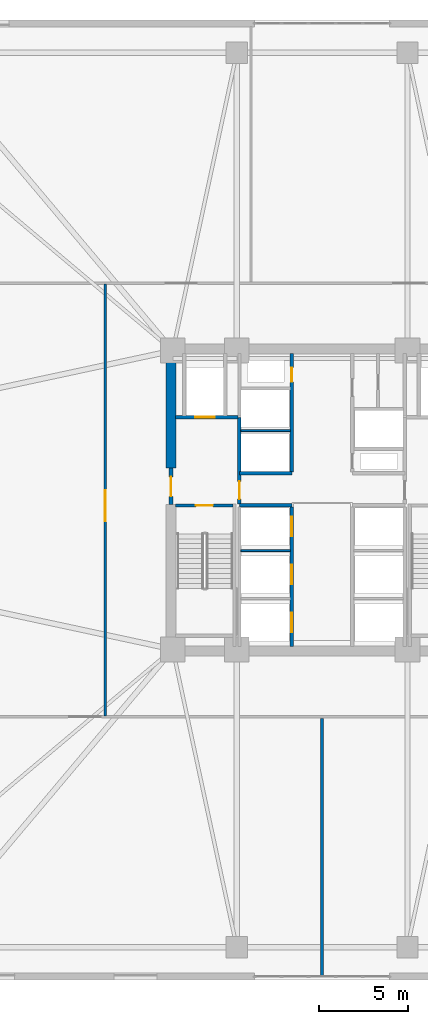
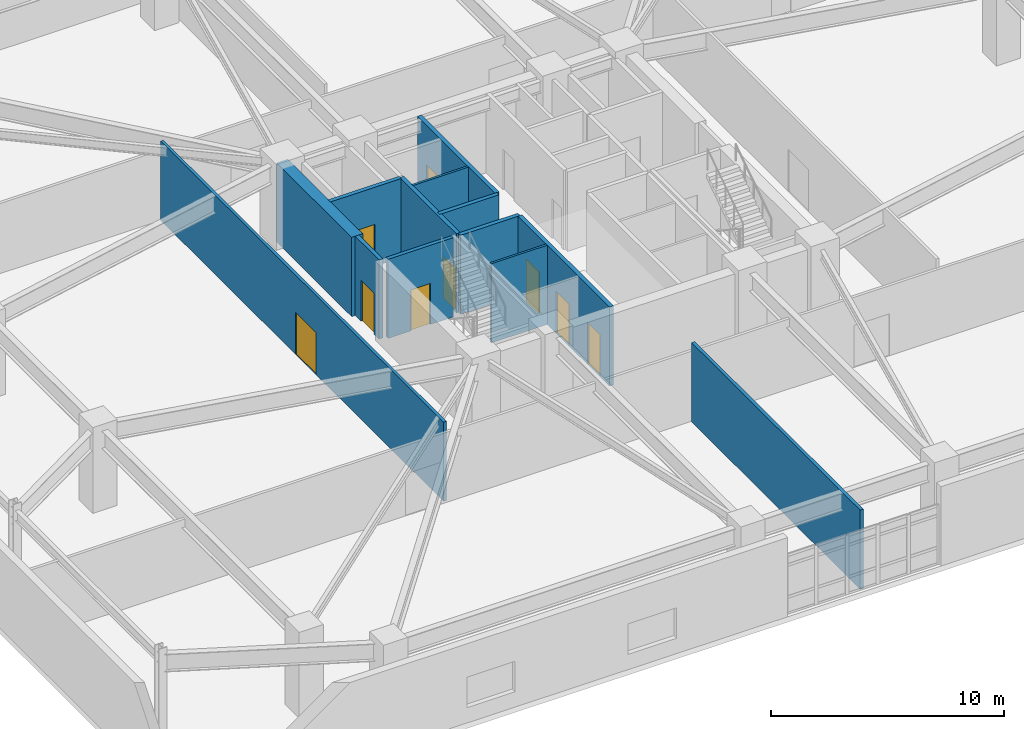
# One storey, part 11 of 21: 13 walls, 9 doors, 9 openings.
"""IFC4 building model written with IfcOpenShell, lengths in metres."""

from ifc_helpers import new_model, si_unit, direction, frame, frame_2d, origin, place, context, subcontext, project, spatial, rectangle, extrude, material, layer, layer_set, type_object, element, fill, save


model = new_model("IFC4")

# Units and contexts
model_context = context("Model", 3, precision=1e-05, world=origin(), true_north=direction((0.0, 1.0)))
body_context = subcontext(model_context, "Body", "Model", "MODEL_VIEW")
ifc_project = project(units=[si_unit("LENGTHUNIT", "METRE"), si_unit("AREAUNIT", "SQUARE_METRE"), si_unit("VOLUMEUNIT", "CUBIC_METRE"), si_unit("PLANEANGLEUNIT", "RADIAN"), si_unit("MASSUNIT", "GRAM", prefix="KILO")], contexts=[model_context])

# Site, building, storey
site_placement = place(None, origin())
site = spatial("IfcSite", under=ifc_project, at=site_placement, CompositionType="ELEMENT")
building_placement = place(site_placement, origin())
building = spatial("IfcBuilding", under=site, at=building_placement, Name="Cairnveth Concourse Tower", CompositionType="ELEMENT")
storey_placement = place(building_placement, frame((0.0, 0.0, 14.5)))
storey = spatial("IfcBuildingStorey", under=building, at=storey_placement, Name="L03", CompositionType="ELEMENT", Elevation=14.5)

# Walls
ifc_material_1 = material(Name="Gypsum Plasterboard Partition", Category="gypsum")
ifc_layer_1 = layer(ifc_material_1, 0.159912109375)
ifc_layer_set_1 = layer_set([ifc_layer_1], Name="Gypsum Plasterboard Partition")
wall_type_1 = type_object("IfcWallType", Name="ACOUSTIC PARTY WALL 180", PredefinedType="PARTITIONING", material=ifc_layer_set_1)
wall_1_placement = place(storey_placement, frame((52.0, 12.219970703125, 0.0), z_axis=(0.0, 0.0, 1.0), x_axis=(0.0, 1.0, 0.0)))
element("IfcWall", 1, at=wall_1_placement, inside=storey, type_object=wall_type_1, Name="Interior Wall IW-L03-042", PredefinedType="PARTITIONING", context=body_context, shape_type="SweptSolid", body=[
    extrude(rectangle(XDim=14.47998046875, YDim=0.159912109375, at=frame_2d((7.239990234375, 0.0))), origin(), (0.0, 0.0, 1.0), 4.14990234375),
])
ifc_material_2 = material(Name="Concrete N80 (80 MPa)", Category="concrete")
ifc_layer_2 = layer(ifc_material_2, 0.550048828125)
ifc_layer_set_2 = layer_set([ifc_layer_2], Name="Concrete N80 (80 MPa)")
wall_type_2 = type_object("IfcWallType", Name="CORE SHEAR WALL 550", PredefinedType="SHEAR", material=ifc_layer_set_2)
wall_2_placement = place(storey_placement, frame((43.5, 40.800048828125, 0.0), z_axis=(0.0, 0.0, 1.0), x_axis=(0.0, 1.0, 0.0)))
element("IfcWall", 2, at=wall_2_placement, inside=storey, type_object=wall_type_2, Name="Core West Shear Wall N L03", PredefinedType="SHEAR", context=body_context, shape_type="SweptSolid", body=[
    extrude(rectangle(XDim=6.43505859375, YDim=0.550048828125, at=frame_2d((3.217529296875, 0.0))), origin(), (0.0, 0.0, 1.0), 4.14990234375),
])

# Wall, opening, door
ifc_material_3 = material(Name="Concrete N50 (50 MPa)", Category="concrete")
ifc_layer_3 = layer(ifc_material_3, 0.179931640625)
ifc_layer_set_3 = layer_set([ifc_layer_3], Name="Concrete N50 (50 MPa)")
wall_type_3 = type_object("IfcWallType", Name="FIRE SHAFT WALL 180", PredefinedType="SOLIDWALL", material=ifc_layer_set_3)
wall_3_placement = place(storey_placement, frame((43.764892578125, 38.68994140625, 0.0), z_axis=(0.0, 0.0, 1.0), x_axis=(1.0, 0.0, 0.0)))
wall_3 = element("IfcWall", 3, at=wall_3_placement, inside=storey, type_object=wall_type_3, Name="Stair ST-1 Shaft Wall NEAR L03", PredefinedType="SOLIDWALL", context=body_context, shape_type="SweptSolid", body=[
    extrude(rectangle(XDim=3.230224609375, YDim=0.179931640625, at=frame_2d((1.615234375, 0.0))), origin(), (0.0, 0.0, 1.0), 4.14990234375),
])
opening_1_placement = place(wall_3_placement, frame((1.139892578125, 0.0, 0.0)))
opening_1 = element("IfcOpeningElement", 4, at=opening_1_placement, cuts=wall_3, Name="Opening ID12", PredefinedType="OPENING", context=body_context, shape_type="SweptSolid", body=[
    extrude(rectangle(XDim=0.949951171875, YDim=2.14990234375, at=frame_2d((0.47509765625, 1.074951171875))), frame((0.0, 0.099853515625, 0.0), z_axis=(0.0, -1.0, 0.0), x_axis=(1.0, 0.0, 0.0)), (0.0, 0.0, 1.0), 0.199951171875),
])
ifc_material_4 = material(Name="Steel Grade 350", Category="steel")
door_type_1 = type_object("IfcDoorType", Name="FIRE STAIR DOOR 950X2150", OperationType="NOTDEFINED", PredefinedType="DOOR", material=ifc_material_4)
door_1_placement = place(opening_1_placement, origin())
door_1 = element("IfcDoor", 5, at=door_1_placement, inside=storey, type_object=door_type_1, Name="Stair ST-1 Fire Door L03", OperationType="SINGLE_SWING_LEFT", OverallHeight=2.14990234375, OverallWidth=0.949951171875, PredefinedType="DOOR", context=body_context, shape_type="SweptSolid", body=[
    extrude(rectangle(XDim=0.949951171875, YDim=2.14990234375, at=frame_2d((0.47509765625, 1.074951171875))), frame((0.0, 0.02490234375, 0.0), z_axis=(0.0, -1.0, 0.0), x_axis=(1.0, 0.0, 0.0)), (0.0, 0.0, 1.0), 0.050048828125),
])
fill(opening_1, door_1)

# Walls
ifc_layer_4 = layer(ifc_material_3, 0.199951171875)
ifc_layer_set_4 = layer_set([ifc_layer_4], Name="Concrete N50 (50 MPa)")
wall_type_4 = type_object("IfcWallType", Name="FIRE SHAFT WALL 200", PredefinedType="SOLIDWALL", material=ifc_layer_set_4)
for number, where, z_axis, x_axis, name in (
    (6, (47.35009765625, 38.699951171875, 0.0), (0.0, 0.0, 1.0), (1.0, 0.0, 0.0), "Interior Wall IW-L03-007"),
    (7, (47.35009765625, 40.5, 0.0), (0.0, 0.0, 1.0), (1.0, 0.0, 0.0), "Interior Wall IW-L03-008"),
):
    element("IfcWall", number, at=place(storey_placement, frame(where, z_axis=z_axis, x_axis=x_axis)), inside=storey, type_object=wall_type_4, Name=name, PredefinedType="SOLIDWALL", context=body_context, shape_type="SweptSolid", body=[
        extrude(rectangle(XDim=2.949951171875, YDim=0.199951171875, at=frame_2d((1.47509765625, 0.0))), origin(), (0.0, 0.0, 1.0), 4.14990234375),
    ])

# Wall, openings, doors
wall_4_placement = place(storey_placement, frame((50.300048828125, 30.760009765625, 0.0), z_axis=(0.0, 0.0, 1.0), x_axis=(0.0, 1.0, 0.0)))
wall_4 = element("IfcWall", 8, at=wall_4_placement, inside=storey, type_object=wall_type_4, Name="Interior Wall IW-L03-011", PredefinedType="SOLIDWALL", context=body_context, shape_type="SweptSolid", body=[
    extrude(rectangle(XDim=7.85498046875, YDim=0.199951171875, at=frame_2d((3.927490234375, 0.0))), origin(), (0.0, 0.0, 1.0), 4.14990234375),
])
opening_2_placement = place(wall_4_placement, frame((0.7900390625, 0.0, 0.0)))
opening_2 = element("IfcOpeningElement", 9, at=opening_2_placement, cuts=wall_4, Name="Opening LD-1", PredefinedType="OPENING", context=body_context, shape_type="SweptSolid", body=[
    extrude(rectangle(XDim=1.10009765625, YDim=2.199951171875, at=frame_2d((0.550048828125, 1.10009765625))), frame((0.0, 0.10986328125, 0.0), z_axis=(0.0, -1.0, 0.0), x_axis=(1.0, 0.0, 0.0)), (0.0, 0.0, 1.0), 0.219970703125),
])
opening_3_placement = place(wall_4_placement, frame((3.489990234375, 0.0, 0.0)))
opening_3 = element("IfcOpeningElement", 10, at=opening_3_placement, cuts=wall_4, Name="Opening LD-1", PredefinedType="OPENING", context=body_context, shape_type="SweptSolid", body=[
    extrude(rectangle(XDim=1.10009765625, YDim=2.199951171875, at=frame_2d((0.550048828125, 1.10009765625))), frame((0.0, 0.10986328125, 0.0), z_axis=(0.0, -1.0, 0.0), x_axis=(1.0, 0.0, 0.0)), (0.0, 0.0, 1.0), 0.219970703125),
])
opening_4_placement = place(wall_4_placement, frame((6.18994140625, 0.0, 0.0)))
opening_4 = element("IfcOpeningElement", 11, at=opening_4_placement, cuts=wall_4, Name="Opening LD-1", PredefinedType="OPENING", context=body_context, shape_type="SweptSolid", body=[
    extrude(rectangle(XDim=1.10009765625, YDim=2.199951171875, at=frame_2d((0.550048828125, 1.10009765625))), frame((0.0, 0.10986328125, 0.0), z_axis=(0.0, -1.0, 0.0), x_axis=(1.0, 0.0, 0.0)), (0.0, 0.0, 1.0), 0.219970703125),
])
ifc_material_5 = material(Name="Architectural Bronze Anodised Aluminium 6063-T6", Category="aluminium")
door_type_2 = type_object("IfcDoorType", Name="LIFT LANDING DOOR 1100X2200", OperationType="SLIDING_TO_LEFT", PredefinedType="DOOR", material=ifc_material_5)
door_2_placement = place(opening_2_placement, origin())
door_2 = element("IfcDoor", 12, at=door_2_placement, inside=storey, type_object=door_type_2, Name="Lift PL1 Landing Door L03", OperationType="SLIDING_TO_LEFT", OverallHeight=2.199951171875, OverallWidth=1.10009765625, PredefinedType="DOOR", context=body_context, shape_type="SweptSolid", body=[
    extrude(rectangle(XDim=1.10009765625, YDim=2.199951171875, at=frame_2d((0.550048828125, 1.10009765625))), frame((0.0, 0.02490234375, 0.0), z_axis=(0.0, -1.0, 0.0), x_axis=(1.0, 0.0, 0.0)), (0.0, 0.0, 1.0), 0.050048828125),
])
fill(opening_2, door_2)
door_3_placement = place(opening_3_placement, origin())
door_3 = element("IfcDoor", 13, at=door_3_placement, inside=storey, type_object=door_type_2, Name="Lift PL2 Landing Door L03", OperationType="SLIDING_TO_LEFT", OverallHeight=2.199951171875, OverallWidth=1.10009765625, PredefinedType="DOOR", context=body_context, shape_type="SweptSolid", body=[
    extrude(rectangle(XDim=1.10009765625, YDim=2.199951171875, at=frame_2d((0.550048828125, 1.10009765625))), frame((0.0, 0.02490234375, 0.0), z_axis=(0.0, -1.0, 0.0), x_axis=(1.0, 0.0, 0.0)), (0.0, 0.0, 1.0), 0.050048828125),
])
fill(opening_3, door_3)
door_4_placement = place(opening_4_placement, origin())
door_4 = element("IfcDoor", 14, at=door_4_placement, inside=storey, type_object=door_type_2, Name="Lift PL3 Landing Door L03", OperationType="SLIDING_TO_LEFT", OverallHeight=2.199951171875, OverallWidth=1.10009765625, PredefinedType="DOOR", context=body_context, shape_type="SweptSolid", body=[
    extrude(rectangle(XDim=1.10009765625, YDim=2.199951171875, at=frame_2d((0.550048828125, 1.10009765625))), frame((0.0, 0.02490234375, 0.0), z_axis=(0.0, -1.0, 0.0), x_axis=(1.0, 0.0, 0.0)), (0.0, 0.0, 1.0), 0.050048828125),
])
fill(opening_4, door_4)

# Wall, opening, door
wall_5_placement = place(storey_placement, frame((50.300048828125, 40.5849609375, 0.0), z_axis=(0.0, 0.0, 1.0), x_axis=(0.0, 1.0, 0.0)))
wall_5 = element("IfcWall", 15, at=wall_5_placement, inside=storey, type_object=wall_type_4, Name="Interior Wall IW-L03-013", PredefinedType="SOLIDWALL", context=body_context, shape_type="SweptSolid", body=[
    extrude(rectangle(XDim=6.655029296875, YDim=0.199951171875, at=frame_2d((3.32763671875, 0.0))), origin(), (0.0, 0.0, 1.0), 4.14990234375),
])
opening_5_placement = place(wall_5_placement, frame((5.06494140625, 0.0, 0.0)))
opening_5 = element("IfcOpeningElement", 16, at=opening_5_placement, cuts=wall_5, Name="Opening ID24", PredefinedType="OPENING", context=body_context, shape_type="SweptSolid", body=[
    extrude(rectangle(XDim=0.800048828125, YDim=2.080078125, at=frame_2d((0.39990234375, 1.0400390625))), frame((0.0, 0.10986328125, 0.0), z_axis=(0.0, -1.0, 0.0), x_axis=(1.0, 0.0, 0.0)), (0.0, 0.0, 1.0), 0.219970703125),
])
door_type_3 = type_object("IfcDoorType", Name="RISER ACCESS DOOR 800X2100", OperationType="NOTDEFINED", PredefinedType="DOOR", material=ifc_material_4)
door_5_placement = place(opening_5_placement, origin())
door_5 = element("IfcDoor", 17, at=door_5_placement, inside=storey, type_object=door_type_3, Name="NW Electrical Riser Access Door L03", OperationType="SINGLE_SWING_RIGHT", OverallHeight=2.080078125, OverallWidth=0.800048828125, PredefinedType="DOOR", context=body_context, shape_type="SweptSolid", body=[
    extrude(rectangle(XDim=0.800048828125, YDim=2.080078125, at=frame_2d((0.39990234375, 1.0400390625))), frame((0.0, 0.02490234375, 0.0), z_axis=(0.0, -1.0, 0.0), x_axis=(1.0, 0.0, 0.0)), (0.0, 0.0, 1.0), 0.050048828125),
])
fill(opening_5, door_5)

wall_6_placement = place(storey_placement, frame((43.5, 38.75, 0.0), z_axis=(0.0, 0.0, 1.0), x_axis=(0.0, 1.0, 0.0)))
wall_6 = element("IfcWall", 18, at=wall_6_placement, inside=storey, type_object=wall_type_4, Name="Interior Wall IW-L03-015", PredefinedType="SOLIDWALL", context=body_context, shape_type="SweptSolid", body=[
    extrude(rectangle(XDim=2.050048828125, YDim=0.199951171875, at=frame_2d((1.02490234375, 0.0))), origin(), (0.0, 0.0, 1.0), 4.14990234375),
])
opening_6_placement = place(wall_6_placement, frame((0.449951171875, 0.0, 0.0)))
opening_6 = element("IfcOpeningElement", 19, at=opening_6_placement, cuts=wall_6, Name="Opening ID06", PredefinedType="OPENING", context=body_context, shape_type="SweptSolid", body=[
    extrude(rectangle(XDim=1.10009765625, YDim=2.14990234375, at=frame_2d((0.550048828125, 1.074951171875))), frame((0.0, 0.10986328125, 0.0), z_axis=(0.0, -1.0, 0.0), x_axis=(1.0, 0.0, 0.0)), (0.0, 0.0, 1.0), 0.219970703125),
])
door_type_4 = type_object("IfcDoorType", Name="FIRE CORRIDOR DOOR 1100X2150", OperationType="NOTDEFINED", PredefinedType="DOOR", material=ifc_material_4)
door_6_placement = place(opening_6_placement, origin())
door_6 = element("IfcDoor", 20, at=door_6_placement, inside=storey, type_object=door_type_4, Name="West Wing to FF Lobby Door L03", OperationType="SINGLE_SWING_LEFT", OverallHeight=2.14990234375, OverallWidth=1.10009765625, PredefinedType="DOOR", context=body_context, shape_type="SweptSolid", body=[
    extrude(rectangle(XDim=1.10009765625, YDim=2.14990234375, at=frame_2d((0.550048828125, 1.074951171875))), frame((0.0, 0.02490234375, 0.0), z_axis=(0.0, -1.0, 0.0), x_axis=(1.0, 0.0, 0.0)), (0.0, 0.0, 1.0), 0.050048828125),
])
fill(opening_6, door_6)

wall_7_placement = place(storey_placement, frame((47.35009765625, 38.784912109375, 0.0), z_axis=(0.0, 0.0, 1.0), x_axis=(0.0, 1.0, 0.0)))
wall_7 = element("IfcWall", 21, at=wall_7_placement, inside=storey, type_object=wall_type_4, Name="Interior Wall IW-L03-016", PredefinedType="SOLIDWALL", context=body_context, shape_type="SweptSolid", body=[
    extrude(rectangle(XDim=4.864990234375, YDim=0.199951171875, at=frame_2d((2.4326171875, 0.0))), origin(), (0.0, 0.0, 1.0), 4.14990234375),
])
opening_7_placement = place(wall_7_placement, frame((0.264892578125, 0.0, 0.0)))
opening_7 = element("IfcOpeningElement", 22, at=opening_7_placement, cuts=wall_7, Name="Opening ID07", PredefinedType="OPENING", context=body_context, shape_type="SweptSolid", body=[
    extrude(rectangle(XDim=1.0, YDim=2.14990234375, at=frame_2d((0.5, 1.074951171875))), frame((0.0, 0.10986328125, 0.0), z_axis=(0.0, -1.0, 0.0), x_axis=(1.0, 0.0, 0.0)), (0.0, 0.0, 1.0), 0.219970703125),
])
door_type_5 = type_object("IfcDoorType", Name="FIRE CORRIDOR DOOR 1000X2150", OperationType="NOTDEFINED", PredefinedType="DOOR", material=ifc_material_4)
door_7_placement = place(opening_7_placement, origin())
door_7 = element("IfcDoor", 23, at=door_7_placement, inside=storey, type_object=door_type_5, Name="FF Lobby West to Lift Lobby Door L03", OperationType="SINGLE_SWING_RIGHT", OverallHeight=2.14990234375, OverallWidth=1.0, PredefinedType="DOOR", context=body_context, shape_type="SweptSolid", body=[
    extrude(rectangle(XDim=1.0, YDim=2.14990234375, at=frame_2d((0.5, 1.074951171875))), frame((0.0, 0.02490234375, 0.0), z_axis=(0.0, -1.0, 0.0), x_axis=(1.0, 0.0, 0.0)), (0.0, 0.0, 1.0), 0.050048828125),
])
fill(opening_7, door_7)

wall_8_placement = place(storey_placement, frame((43.760009765625, 43.64990234375, 0.0), z_axis=(0.0, 0.0, 1.0), x_axis=(1.0, 0.0, 0.0)))
wall_8 = element("IfcWall", 24, at=wall_8_placement, inside=storey, type_object=wall_type_4, Name="Interior Wall IW-L03-017", PredefinedType="SOLIDWALL", context=body_context, shape_type="SweptSolid", body=[
    extrude(rectangle(XDim=3.5048828125, YDim=0.199951171875, at=frame_2d((1.75244140625, 0.0))), origin(), (0.0, 0.0, 1.0), 4.14990234375),
])
opening_8_placement = place(wall_8_placement, frame((1.110107421875, 0.0, 0.0)))
opening_8 = element("IfcOpeningElement", 25, at=opening_8_placement, cuts=wall_8, Name="Opening LD-1", PredefinedType="OPENING", context=body_context, shape_type="SweptSolid", body=[
    extrude(rectangle(XDim=1.10009765625, YDim=2.199951171875, at=frame_2d((0.550048828125, 1.10009765625))), frame((0.0, 0.10986328125, 0.0), z_axis=(0.0, -1.0, 0.0), x_axis=(1.0, 0.0, 0.0)), (0.0, 0.0, 1.0), 0.219970703125),
])
door_8_placement = place(opening_8_placement, origin())
door_8 = element("IfcDoor", 26, at=door_8_placement, inside=storey, type_object=door_type_2, Name="Lift FFL1 Landing Door L03", OperationType="SLIDING_TO_LEFT", OverallHeight=2.199951171875, OverallWidth=1.10009765625, PredefinedType="DOOR", context=body_context, shape_type="SweptSolid", body=[
    extrude(rectangle(XDim=1.10009765625, YDim=2.199951171875, at=frame_2d((0.550048828125, 1.10009765625))), frame((0.0, 0.02490234375, 0.0), z_axis=(0.0, -1.0, 0.0), x_axis=(1.0, 0.0, 0.0)), (0.0, 0.0, 1.0), 0.050048828125),
])
fill(opening_8, door_8)

ifc_layer_5 = layer(ifc_material_1, 0.139892578125)
ifc_layer_set_5 = layer_set([ifc_layer_5], Name="Gypsum Plasterboard Partition")
wall_type_5 = type_object("IfcWallType", Name="GYPSUM STUD PARTITION 140", PredefinedType="PARTITIONING", material=ifc_layer_set_5)
wall_9_placement = place(storey_placement, frame((39.800048828125, 26.85498046875, 0.0), z_axis=(0.0, 0.0, 1.0), x_axis=(0.0, 1.0, 0.0)))
wall_9 = element("IfcWall", 27, at=wall_9_placement, inside=storey, type_object=wall_type_5, Name="Interior Wall IW-L03-040", PredefinedType="PARTITIONING", context=body_context, shape_type="SweptSolid", body=[
    extrude(rectangle(XDim=24.2900390625, YDim=0.139892578125, at=frame_2d((12.14501953125, 0.0))), origin(), (0.0, 0.0, 1.0), 4.14990234375),
])
opening_9_placement = place(wall_9_placement, frame((10.945068359375, 0.0, 0.0)))
opening_9 = element("IfcOpeningElement", 28, at=opening_9_placement, cuts=wall_9, Name="Opening ID27", PredefinedType="OPENING", context=body_context, shape_type="SweptSolid", body=[
    extrude(rectangle(XDim=1.760009765625, YDim=2.199951171875, at=frame_2d((0.8798828125, 1.10009765625))), frame((0.0, 0.079833984375, 0.0), z_axis=(0.0, -1.0, 0.0), x_axis=(1.0, 0.0, 0.0)), (0.0, 0.0, 1.0), 0.159912109375),
])
ifc_material_6 = material(Name="Solid Core Hardwood Timber Leaf", Category="wood")
door_type_6 = type_object("IfcDoorType", Name="CONCOURSE DOUBLE DOOR 1760X2200", OperationType="DOUBLE_DOOR_SINGLE_SWING", PredefinedType="DOOR", material=ifc_material_6)
door_9_placement = place(opening_9_placement, origin())
door_9 = element("IfcDoor", 29, at=door_9_placement, inside=storey, type_object=door_type_6, Name="Interior Door DR-L03-020", OperationType="DOUBLE_DOOR_SINGLE_SWING", OverallHeight=2.199951171875, OverallWidth=1.760009765625, PredefinedType="DOOR", context=body_context, shape_type="SweptSolid", body=[
    extrude(rectangle(XDim=1.760009765625, YDim=2.199951171875, at=frame_2d((0.8798828125, 1.10009765625))), frame((0.0, 0.02490234375, 0.0), z_axis=(0.0, -1.0, 0.0), x_axis=(1.0, 0.0, 0.0)), (0.0, 0.0, 1.0), 0.050048828125),
])
fill(opening_9, door_9)

# Walls
ifc_layer_6 = layer(ifc_material_1, 0.110107421875)
ifc_layer_set_6 = layer_set([ifc_layer_6], Name="Gypsum Plasterboard Partition")
wall_type_6 = type_object("IfcWallType", Name="SHAFT DIVIDER WALL 140", PredefinedType="PARTITIONING", material=ifc_layer_set_6)
wall_10_placement = place(storey_placement, frame((47.425048828125, 36.14990234375, 0.0), z_axis=(0.0, 0.0, 1.0), x_axis=(1.0, 0.0, 0.0)))
element("IfcWall", 30, at=wall_10_placement, inside=storey, type_object=wall_type_6, Name="Interior Wall IW-L03-027", PredefinedType="PARTITIONING", context=body_context, shape_type="SweptSolid", body=[
    extrude(rectangle(XDim=2.7900390625, YDim=0.110107421875, at=frame_2d((1.39501953125, 0.0))), origin(), (0.0, 0.0, 1.0), 4.14990234375),
])
wall_11_placement = place(storey_placement, frame((47.43505859375, 42.89990234375, 0.0), z_axis=(0.0, 0.0, 1.0), x_axis=(1.0, 0.0, 0.0)))
element("IfcWall", 31, at=wall_11_placement, inside=storey, type_object=wall_type_6, Name="Interior Wall IW-L03-032", PredefinedType="PARTITIONING", context=body_context, shape_type="SweptSolid", body=[
    extrude(rectangle(XDim=2.780029296875, YDim=0.110107421875, at=frame_2d((1.39013671875, 0.0))), origin(), (0.0, 0.0, 1.0), 4.14990234375),
])

save(model, "model.ifc")
